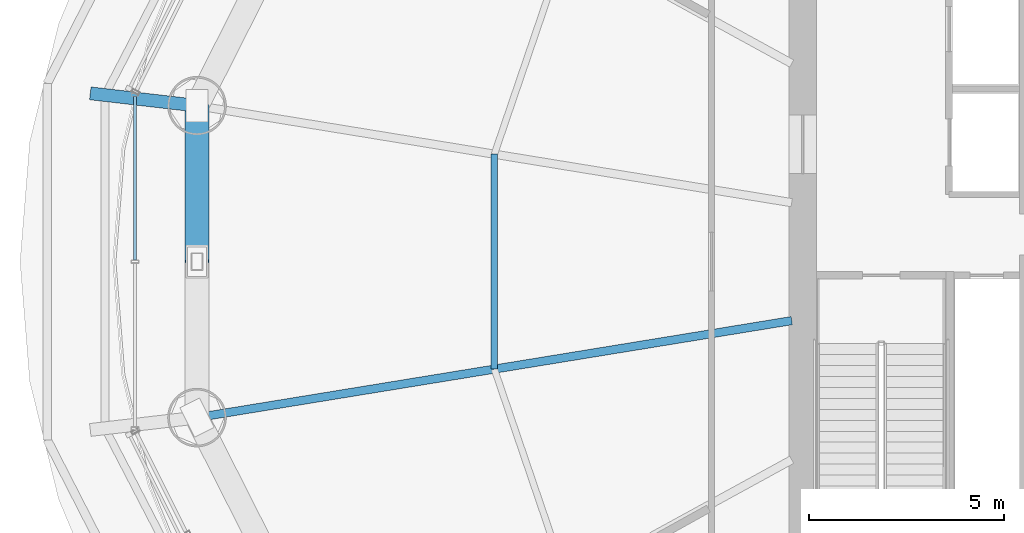
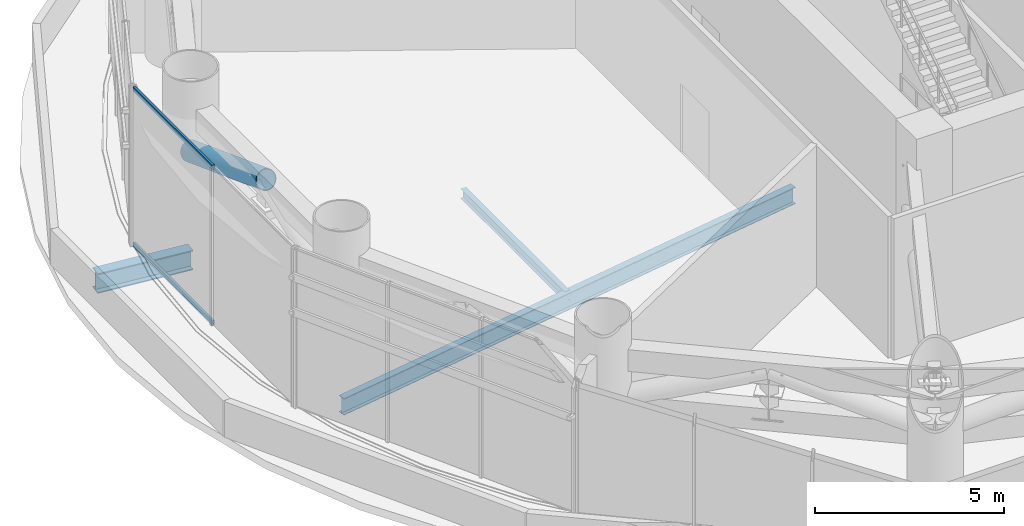
# One storey, part 9 of 33: 3 beams, 3 members, 1 element without a shape of its own.
"""IFC4 building model written with IfcOpenShell, lengths in metres."""

import ifcopenshell
import ifcopenshell.guid

model = None  # the IFC model being written
_history = None  # IfcOwnerHistory: only IFC2X3 demands one
_inside = {}  # id of a spatial element -> (the spatial element, [elements in it])
_under = {}  # id of a project, library or spatial element -> (it, [spatial elements below it])
_declared = {}  # id of a project -> (the project, [libraries it declares])
_typed = {}  # id of a type object -> (the type object, [elements of that type])
_made_of = {}  # id of a material, layer set ... -> (it, [elements and type objects made of it])


def new_model(schema):
    """Start an empty IFC model of exactly this schema.

    Asked for "IFC4X3", IfcOpenShell would pick the latest addendum, in which some entities
    have other attributes; the version numbers below select the first issue.
    IFC2X3 requires an IfcOwnerHistory on every rooted entity: one is made here for all.
    """
    global model, _history
    if schema == "IFC4X3":
        model = ifcopenshell.file(schema_version=(4, 3, 0, 0))
    else:
        model = ifcopenshell.file(schema=schema)
    _inside.clear()
    _under.clear()
    _declared.clear()
    _typed.clear()
    _made_of.clear()
    _history = None
    if model.schema == "IFC2X3":
        org = make("IfcOrganization", Name="unknown")
        user = make(
            "IfcPersonAndOrganization",
            ThePerson=make("IfcPerson", FamilyName="unknown"),
            TheOrganization=org,
        )
        app = make(
            "IfcApplication",
            ApplicationDeveloper=org,
            Version="unknown",
            ApplicationFullName="unknown",
            ApplicationIdentifier="unknown",
        )
        _history = make(
            "IfcOwnerHistory",
            OwningUser=user,
            OwningApplication=app,
            ChangeAction="ADDED",
            CreationDate=0,
        )
    return model


def make(cls, **values):
    """One entity of the class cls with the attributes given. An attribute that is None is left unset."""
    return model.create_entity(
        cls, **{name: value for name, value in values.items() if value is not None}
    )


def rooted(cls, **values):
    """An entity with a GlobalId (a new one), such as an element, a storey or a relation."""
    return make(cls, GlobalId=ifcopenshell.guid.new(), OwnerHistory=_history, **values)


def si_unit(unit_type, name, prefix=None):
    """IfcSIUnit, for example si_unit("LENGTHUNIT", "METRE", prefix="MILLI")."""
    return make("IfcSIUnit", UnitType=unit_type, Prefix=prefix, Name=name)


def assignment(units):
    """IfcUnitAssignment: the units of a project."""
    return None if units is None else make("IfcUnitAssignment", Units=units)


def point(xyz):
    """IfcCartesianPoint."""
    return None if xyz is None else make("IfcCartesianPoint", Coordinates=xyz)


def direction(xyz):
    """IfcDirection."""
    return None if xyz is None else make("IfcDirection", DirectionRatios=xyz)


def frame(location, z_axis=None, x_axis=None):
    """IfcAxis2Placement3D, a coordinate frame: its origin and axes. An axis left out is left unset."""
    return make(
        "IfcAxis2Placement3D",
        Location=point(location),
        Axis=direction(z_axis),
        RefDirection=direction(x_axis),
    )


def frame_2d(location, x_axis=None):
    """IfcAxis2Placement2D, a coordinate frame in the plane: its origin and x axis."""
    return make(
        "IfcAxis2Placement2D", Location=point(location), RefDirection=direction(x_axis)
    )


def origin():
    """The frame at (0, 0, 0) with its axes left unset."""
    return frame((0.0, 0.0, 0.0))


def origin_2d():
    """The frame at (0, 0) in the plane with its x axis left unset."""
    return frame_2d((0.0, 0.0))


def place(relative_to, where):
    """IfcLocalPlacement: puts the frame where relative to a parent placement (None: the world)."""
    return make(
        "IfcLocalPlacement", PlacementRelTo=relative_to, RelativePlacement=where
    )


def context(
    kind, dimensions, precision=None, world=None, true_north=None, identifier=None
):
    """IfcGeometricRepresentationContext, for example the 3D "Model" context."""
    return make(
        "IfcGeometricRepresentationContext",
        ContextIdentifier=identifier,
        ContextType=kind,
        CoordinateSpaceDimension=dimensions,
        Precision=precision,
        WorldCoordinateSystem=world,
        TrueNorth=true_north,
    )


def subcontext(parent, identifier, kind, view, scale=None):
    """IfcGeometricRepresentationSubContext, for example "Body" below "Model"."""
    return make(
        "IfcGeometricRepresentationSubContext",
        ContextIdentifier=identifier,
        ContextType=kind,
        ParentContext=parent,
        TargetScale=scale,
        TargetView=view,
    )


def project(units=None, contexts=None):
    """IfcProject with its units and contexts."""
    return rooted(
        "IfcProject",
        Name="project",
        RepresentationContexts=contexts,
        UnitsInContext=assignment(units),
    )


def spatial(cls, under=None, at=None, **own):
    """A site, building, storey or space (cls), placed at a placement, below another one or the project."""
    s = rooted(cls, ObjectPlacement=at, **own)
    if under is not None:
        _under.setdefault(under.id(), (under, []))[1].append(s)
    return s


def profile(cls, at=None, kind="AREA", **sizes):
    """A parametric profile (cls). Its sizes go by their IFC names, for example OverallWidth=200.0."""
    return make(cls, ProfileType=kind, Position=at, **sizes)


def hollow_rectangle(**sizes):
    """IfcRectangleHollowProfileDef."""
    return profile("IfcRectangleHollowProfileDef", **sizes)


def hollow_circle(**sizes):
    """IfcCircleHollowProfileDef."""
    return profile("IfcCircleHollowProfileDef", **sizes)


def i_section(**sizes):
    """IfcIShapeProfileDef."""
    return profile("IfcIShapeProfileDef", **sizes)


def extrude(swept, where, along, depth):
    """IfcExtrudedAreaSolid: the profile swept, set in the frame where, extruded along a direction by depth."""
    return make(
        "IfcExtrudedAreaSolid",
        SweptArea=swept,
        Position=where,
        ExtrudedDirection=direction(along),
        Depth=depth,
    )


def shape(context_of_items, identifier, shape_type, items):
    """IfcShapeRepresentation: the items that make up one representation, for example the "Body"."""
    return make(
        "IfcShapeRepresentation",
        ContextOfItems=context_of_items,
        RepresentationIdentifier=identifier,
        RepresentationType=shape_type,
        Items=items,
    )


def source(mapping_origin, context_of_items, identifier, shape_type, items):
    """IfcRepresentationMap: a shape defined once, which mapped items show again and again."""
    return make(
        "IfcRepresentationMap",
        MappingOrigin=mapping_origin,
        MappedRepresentation=shape(context_of_items, identifier, shape_type, items),
    )


def transform(
    local_origin,
    x_axis=None,
    y_axis=None,
    z_axis=None,
    scale=None,
    scale2=None,
    scale3=None,
    uniform=True,
):
    """IfcCartesianTransformationOperator3D, or its non-uniform kind. x_axis, y_axis, z_axis: its Axis1, 2, 3."""
    if uniform:
        return make(
            "IfcCartesianTransformationOperator3D",
            Axis1=direction(x_axis),
            Axis2=direction(y_axis),
            LocalOrigin=point(local_origin),
            Scale=scale,
            Axis3=direction(z_axis),
        )
    return make(
        "IfcCartesianTransformationOperator3DnonUniform",
        Axis1=direction(x_axis),
        Axis2=direction(y_axis),
        LocalOrigin=point(local_origin),
        Scale=scale,
        Axis3=direction(z_axis),
        Scale2=scale2,
        Scale3=scale3,
    )


def mapped(mapping_source, mapping_target):
    """IfcMappedItem: shows the shape of a source again, moved by a transform."""
    return make(
        "IfcMappedItem", MappingSource=mapping_source, MappingTarget=mapping_target
    )


def material(Name=None, Category=None):
    """IfcMaterial."""
    return make("IfcMaterial", Name=Name, Category=Category)


def material_profile(
    of_material, cross_section, Name=None, Category=None, Priority=None
):
    """IfcMaterialProfile: a cross section and its material."""
    return make(
        "IfcMaterialProfile",
        Name=Name,
        Material=of_material,
        Profile=cross_section,
        Priority=Priority,
        Category=Category,
    )


def profile_set(profiles, Name=None, composite=None):
    """IfcMaterialProfileSet."""
    return make(
        "IfcMaterialProfileSet",
        Name=Name,
        MaterialProfiles=profiles,
        CompositeProfile=composite,
    )


def made_of(thing, what):
    """Note that an element or type object is made of a material, layer set ...; save() writes the relation."""
    if what is not None:
        _made_of.setdefault(what.id(), (what, []))[1].append(thing)
    return thing


def type_object(cls, material=None, **own):
    """A type object (cls), such as IfcWallType, which elements share."""
    return made_of(rooted(cls, **own), material)


def element(
    cls,
    number,
    at=None,
    inside=None,
    cuts=None,
    type_object=None,
    material=None,
    context=None,
    identifier="Body",
    shape_type=None,
    held_by="IfcProductDefinitionShape",
    body=None,
    shapes=None,
    **own,
):
    """One element of the class cls, such as IfcWall. Its Tag is "e" and its number.

    at: its placement. inside: the storey or other place that contains it. cuts: it is an
    opening in that element (IfcRelVoidsElement). A single representation is given by context,
    identifier, shape_type and body (its items); several are given by shapes. held_by: the class
    of the entity that holds the representations. save() writes the other relations.
    """
    e = rooted(cls, Tag="e%d" % number, ObjectPlacement=at, **own)
    if body is not None:
        shapes = [shape(context, identifier, shape_type, body)]
    if shapes is not None:
        e.Representation = make(held_by, Representations=shapes)
    if inside is not None:
        _inside.setdefault(inside.id(), (inside, []))[1].append(e)
    if cuts is not None:
        rooted(
            "IfcRelVoidsElement", RelatingBuildingElement=cuts, RelatedOpeningElement=e
        )
    if type_object is not None:
        _typed.setdefault(type_object.id(), (type_object, []))[1].append(e)
    return made_of(e, material)


def aggregate(whole, parts):
    """IfcRelAggregates: a whole, such as a stair, and the parts it consists of."""
    return rooted("IfcRelAggregates", RelatingObject=whole, RelatedObjects=parts)


def save(model, path):
    """Write the relations noted so far, then the file.

    IfcRelAggregates (storeys below a building ...), IfcRelContainedInSpatialStructure (elements
    in a storey), IfcRelDefinesByType, IfcRelAssociatesMaterial and IfcRelDeclares: one each for
    every whole, place, type object, material and project.
    """
    for whole, parts in _under.values():
        aggregate(whole, parts)
    for where, things in _inside.values():
        rooted(
            "IfcRelContainedInSpatialStructure",
            RelatedElements=things,
            RelatingStructure=where,
        )
    for kind, things in _typed.values():
        rooted("IfcRelDefinesByType", RelatedObjects=things, RelatingType=kind)
    for what, things in _made_of.values():
        rooted("IfcRelAssociatesMaterial", RelatedObjects=things, RelatingMaterial=what)
    for by, libraries in _declared.values():
        rooted("IfcRelDeclares", RelatingContext=by, RelatedDefinitions=libraries)
    model.write(path)


model = new_model("IFC4")

# Units and contexts
model_context = context("Model", 3, precision=1e-05, world=origin(), true_north=direction((-0.2419218956, 0.970295726276)))
body_context = subcontext(model_context, "Body", "Model", "MODEL_VIEW")
ifc_project = project(units=[si_unit("LENGTHUNIT", "METRE"), si_unit("AREAUNIT", "SQUARE_METRE"), si_unit("VOLUMEUNIT", "CUBIC_METRE"), si_unit("PLANEANGLEUNIT", "RADIAN"), si_unit("MASSUNIT", "GRAM", prefix="KILO")], contexts=[model_context])

# Site, building, storey
site_placement = place(None, origin())
site = spatial("IfcSite", under=ifc_project, at=site_placement, CompositionType="ELEMENT")
building_placement = place(site_placement, origin())
building = spatial("IfcBuilding", under=site, at=building_placement, Name="Cobrevalo Terracotta Tower", CompositionType="ELEMENT")
storey_placement = place(building_placement, frame((0.0, 0.0, 74.39990234375)))
storey = spatial("IfcBuildingStorey", under=building, at=storey_placement, Name="L19", CompositionType="ELEMENT", Elevation=74.39990234375)

# Beams
ifc_material_1 = material(Name="Steel S355", Category="steel")
ifc_material_profile_1 = material_profile(ifc_material_1, i_section(OverallWidth=0.2109375, OverallDepth=0.5390625, WebThickness=0.01171875, FlangeThickness=0.018798828125, at=origin_2d()), Name="W 530x109")
ifc_profile_set_1 = profile_set([ifc_material_profile_1], Name="Steel S355")
beam_type_1 = type_object("IfcBeamType", Name="Structural Beam W 530x109 (Steel S355)", PredefinedType="BEAM", material=ifc_profile_set_1)
beam_1_placement = place(storey_placement, frame((13.529296875, 22.810302734375, -0.719482421875), z_axis=(0.986968986681, 0.160910594212, 0.0), x_axis=(-0.160910594212, 0.986968986681, 0.0)))
element("IfcBeam", 1, at=beam_1_placement, inside=storey, type_object=beam_type_1, Name="L19 radial floor girder 09", PredefinedType="BEAM", context=body_context, shape_type="SweptSolid", body=[
    extrude(i_section(OverallWidth=0.2109375, OverallDepth=0.5390625, WebThickness=0.01171875, FlangeThickness=0.018798828125, at=origin_2d()), origin(), (0.0, 0.0, 1.0), 15.416748046875),
])
ifc_material_profile_2 = material_profile(ifc_material_1, i_section(OverallWidth=0.3291015625, OverallDepth=0.635009765625, WebThickness=0.017822265625, FlangeThickness=0.031005859375, at=origin_2d()), Name="W 610x241")
ifc_profile_set_2 = profile_set([ifc_material_profile_2], Name="Steel S355")
beam_type_2 = type_object("IfcBeamType", Name="Structural Beam W 610x241 (Steel S355)", PredefinedType="BEAM", material=ifc_profile_set_2)
beam_2_placement = place(storey_placement, frame((10.798095703125, 31.1064453125, -0.767333984375), z_axis=(0.99333601579, -0.115254326316, 0.0), x_axis=(0.115254326316, 0.99333601579, 0.0)))
element("IfcBeam", 2, at=beam_2_placement, inside=storey, type_object=beam_type_2, Name="L19 setback step-link girder 08", PredefinedType="BEAM", context=body_context, shape_type="SweptSolid", body=[
    extrude(i_section(OverallWidth=0.3291015625, OverallDepth=0.635009765625, WebThickness=0.017822265625, FlangeThickness=0.031005859375, at=origin_2d()), origin(), (0.0, 0.0, 1.0), 2.74951171875),
])
ifc_material_profile_3 = material_profile(ifc_material_1, i_section(OverallWidth=0.1650390625, OverallDepth=0.31005859375, WebThickness=0.005859375, FlangeThickness=0.009765625, at=origin_2d()), Name="W 310x38.7")
ifc_profile_set_3 = profile_set([ifc_material_profile_3], Name="Steel S355")
beam_type_3 = type_object("IfcBeamType", Name="Structural Joist W 310x38.7 (Steel S355)", PredefinedType="JOIST", material=ifc_profile_set_3)
beam_3_placement = place(storey_placement, frame((21.13720703125, 29.54931640625, -0.60498046875), z_axis=(0.0, -1.0, 0.0), x_axis=(1.0, 0.0, 0.0)))
element("IfcBeam", 3, at=beam_3_placement, inside=storey, type_object=beam_type_3, Name="L19 circumferential secondary floor joist 08", PredefinedType="JOIST", context=body_context, shape_type="SweptSolid", body=[
    extrude(i_section(OverallWidth=0.1650390625, OverallDepth=0.31005859375, WebThickness=0.005859375, FlangeThickness=0.009765625, at=origin_2d()), origin(), (0.0, 0.0, 1.0), 5.49853515625),
])

# Member
ifc_material_profile_4 = material_profile(ifc_material_1, hollow_circle(Radius=0.304931640625, WallThickness=0.02490234375, at=origin_2d()), Name="CHS 610x25")
ifc_profile_set_4 = profile_set([ifc_material_profile_4], Name="Steel S355")
member_type_1 = type_object("IfcMemberType", Name="Steel Brace CHS 610x25 (Steel S355)", PredefinedType="BRACE", material=ifc_profile_set_4)
shared_shape_1 = source(origin(), body_context, "Body", "SweptSolid", [
    extrude(hollow_circle(Radius=0.304931640625, WallThickness=0.02490234375, at=origin_2d()), origin(), (0.0, 0.0, 1.0), 4.26025390625),
])
member_1_placement = place(storey_placement, frame((13.529296875, 30.78955078125, 2.650146484375), z_axis=(0.0, -0.936420990535, 0.35087850958), x_axis=(1.0, 0.0, 0.0)))
element("IfcMember", 4, at=member_1_placement, inside=storey, type_object=member_type_1, Name="L19 belt truss diagonal brace 08-D1", PredefinedType="BRACE", context=body_context, shape_type="MappedRepresentation", body=[
    mapped(shared_shape_1, transform((0.0, 0.0, 0.0), scale=1.0)),
])

# Curtain wall, members
ifc_material_2 = material(Name="Anodized aluminium", Category="aluminium")
curtain_wall_type = type_object("IfcCurtainWallType", Name="Belt-truss plant acoustic weather-louvre curtain wall CW-LV", PredefinedType="NOTDEFINED", material=ifc_material_2)
curtain_wall_placement = place(storey_placement, origin())
curtain_wall = element("IfcCurtainWall", 5, at=curtain_wall_placement, inside=storey, type_object=curtain_wall_type, Name="L19 curtain wall CW-LV-L19-S08", PredefinedType="NOTDEFINED")
ifc_material_profile_5 = material_profile(ifc_material_2, hollow_rectangle(XDim=0.074951171875, YDim=0.14990234375, WallThickness=0.00439453125, at=origin_2d()), Name="CWT 75x150")
ifc_profile_set_5 = profile_set([ifc_material_profile_5], Name="Anodized aluminium")
member_type_2 = type_object("IfcMemberType", Name="Tower unitised aluminium transom 75x150", PredefinedType="USERDEFINED", material=ifc_profile_set_5)
shared_shape_2 = source(origin(), body_context, "Body", "SweptSolid", [
    extrude(hollow_rectangle(XDim=0.074951171875, YDim=0.14990234375, WallThickness=0.00439453125, at=origin_2d()), origin(), (0.0, 0.0, 1.0), 4.185546875),
])
member_2_placement = place(storey_placement, frame((11.9404296875, 31.025634765625, 0.050048828125), z_axis=(0.0, -1.0, 0.0), x_axis=(1.0, 0.0, 0.0)))
member_2 = element("IfcMember", 6, at=member_2_placement, type_object=member_type_2, Name="CW-LV-L19-S08 transom B01-T1", ObjectType="TRANSOM", PredefinedType="USERDEFINED", context=body_context, shape_type="MappedRepresentation", body=[
    mapped(shared_shape_2, transform((0.0, 0.0, 0.0), scale=1.0)),
])
member_3_placement = place(storey_placement, frame((11.9404296875, 31.025634765625, 5.0751953125), z_axis=(0.0, -1.0, 0.0), x_axis=(1.0, 0.0, 0.0)))
member_3 = element("IfcMember", 7, at=member_3_placement, type_object=member_type_2, Name="CW-LV-L19-S08 transom B01-T2", ObjectType="TRANSOM", PredefinedType="USERDEFINED", context=body_context, shape_type="MappedRepresentation", body=[
    mapped(shared_shape_2, transform((0.0, 0.0, 0.0), scale=1.0)),
])
aggregate(curtain_wall, [member_2, member_3])

save(model, "model.ifc")
